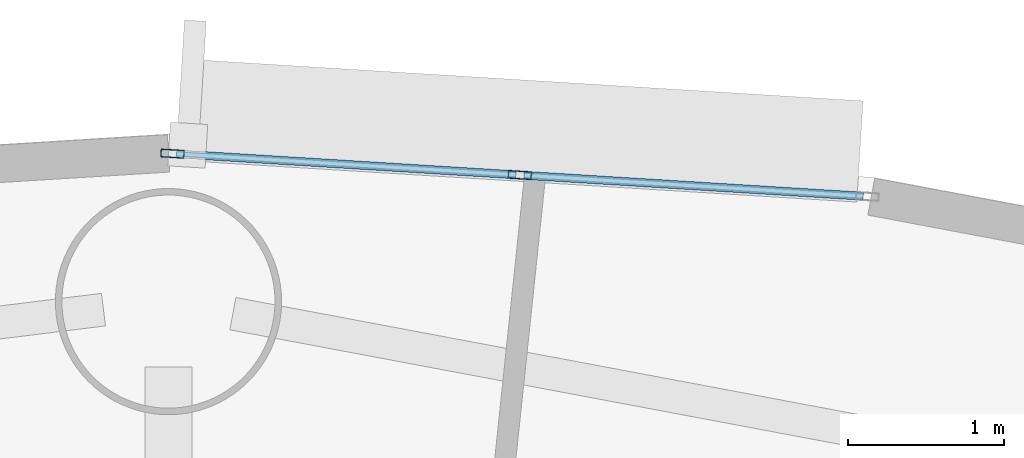
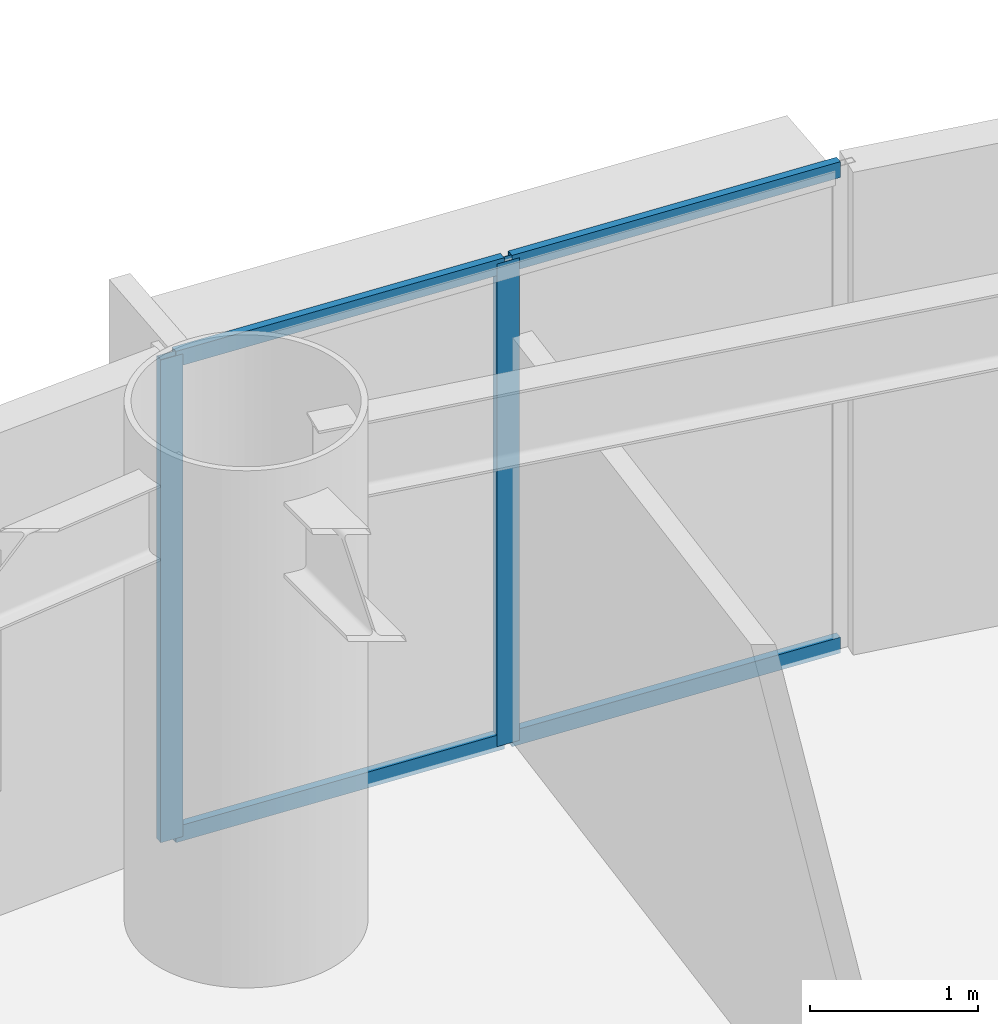
# One storey, part 4 of 18: 6 members, 1 element without a shape of its own.
"""IFC4 building model written with IfcOpenShell, lengths in metres."""

from ifc_helpers import new_model, si_unit, direction, frame, origin, origin_2d, place, context, subcontext, project, spatial, hollow_rectangle, extrude, source, transform, mapped, material, layer, layer_set, material_profile, profile_set, type_object, element, aggregate, save


model = new_model("IFC4")

# Units and contexts
model_context = context("Model", 3, precision=1e-05, world=origin(), true_north=direction((0.0, 1.0)))
body_context = subcontext(model_context, "Body", "Model", "MODEL_VIEW")
ifc_project = project(units=[si_unit("LENGTHUNIT", "METRE"), si_unit("AREAUNIT", "SQUARE_METRE"), si_unit("VOLUMEUNIT", "CUBIC_METRE"), si_unit("PLANEANGLEUNIT", "RADIAN"), si_unit("MASSUNIT", "GRAM", prefix="KILO")], contexts=[model_context])

# Site, building, storey
site_placement = place(None, origin())
site = spatial("IfcSite", under=ifc_project, at=site_placement, CompositionType="ELEMENT")
building_placement = place(site_placement, origin())
building = spatial("IfcBuilding", under=site, at=building_placement, Name="Linh Dai School and Residence Tower", CompositionType="ELEMENT")
storey_placement = place(building_placement, frame((0.0, 0.0, 123.449951171875)))
storey = spatial("IfcBuildingStorey", under=building, at=storey_placement, Name="L29", CompositionType="ELEMENT", Elevation=123.449951171875)

# Curtain wall, members
ifc_material_1 = material(Name="Aluminium Anodised Curtain Wall", Category="aluminium")
ifc_layer = layer(ifc_material_1, 0.14990234375)
ifc_layer_set = layer_set([ifc_layer], Name="Aluminium Anodised Curtain Wall")
curtain_wall_type = type_object("IfcCurtainWallType", Name="CW-SYS-4", PredefinedType="USERDEFINED", material=ifc_layer_set)
curtain_wall_placement = place(storey_placement, origin())
curtain_wall = element("IfcCurtainWall", 1, at=curtain_wall_placement, inside=storey, type_object=curtain_wall_type, Name="L29 CW4 Curtain Wall 10", ObjectType="RIBBON CURTAIN WALL", PredefinedType="USERDEFINED")
ifc_material_2 = material(Name="Aluminium Alloy 6063-T6", Category="aluminium")
ifc_material_profile_1 = material_profile(ifc_material_2, hollow_rectangle(XDim=0.052001953125, YDim=0.14990234375, WallThickness=0.00390625, at=origin_2d()), Name="RHS 150x52x4")
ifc_profile_set_1 = profile_set([ifc_material_profile_1], Name="Aluminium Alloy 6063-T6")
member_type_1 = type_object("IfcMemberType", Name="CW-SYS-4-MUL", PredefinedType="MULLION", material=ifc_profile_set_1)
shared_shape_1 = source(origin(), body_context, "Body", "SweptSolid", [
    extrude(hollow_rectangle(XDim=0.052001953125, YDim=0.14990234375, WallThickness=0.00390625, at=origin_2d()), origin(), (0.0, 0.0, 1.0), 3.5),
])
member_1_placement = place(storey_placement, frame((36.02587890625, 49.50341796875, 0.0), z_axis=(0.0, 0.0, 1.0), x_axis=(0.061509255091, 0.998106513123, 0.0)))
member_1 = element("IfcMember", 2, at=member_1_placement, type_object=member_type_1, Name="CW4 mullion 1", PredefinedType="MULLION", context=body_context, shape_type="MappedRepresentation", body=[
    mapped(shared_shape_1, transform((0.0, 0.0, 0.0), x_axis=(1.0, 0.0, 0.0), y_axis=(0.0, 1.0, 0.0), z_axis=(0.0, 0.0, 1.0), scale=1.0)),
])
member_2_placement = place(storey_placement, frame((38.252685546875, 49.3662109375, 0.0), z_axis=(0.0, 0.0, 1.0), x_axis=(0.061509255091, 0.998106513123, 0.0)))
member_2 = element("IfcMember", 3, at=member_2_placement, type_object=member_type_1, Name="CW4 mullion 2", PredefinedType="MULLION", context=body_context, shape_type="MappedRepresentation", body=[
    mapped(shared_shape_1, transform((0.0, 0.0, 0.0), x_axis=(1.0, 0.0, 0.0), y_axis=(0.0, 1.0, 0.0), z_axis=(0.0, 0.0, 1.0), scale=1.0)),
])
ifc_material_profile_2 = material_profile(ifc_material_2, hollow_rectangle(XDim=0.052001953125, YDim=0.114990234375, WallThickness=0.00390625, at=origin_2d()), Name="RHS 115x52x4")
ifc_profile_set_2 = profile_set([ifc_material_profile_2], Name="Aluminium Alloy 6063-T6")
member_type_2 = type_object("IfcMemberType", Name="CW-SYS-4-TRN", PredefinedType="USERDEFINED", material=ifc_profile_set_2)
shared_shape_2 = source(origin(), body_context, "Body", "SweptSolid", [
    extrude(hollow_rectangle(XDim=0.052001953125, YDim=0.114990234375, WallThickness=0.00390625, at=origin_2d()), origin(), (0.0, 0.0, 1.0), 2.178955078125),
])
member_3_placement = place(storey_placement, frame((36.052001953125, 49.501708984375, 0.026123046875), z_axis=(0.998106264791, -0.061513284617, 0.0), x_axis=(0.061513284617, 0.998106264791, 0.0)))
member_3 = element("IfcMember", 4, at=member_3_placement, type_object=member_type_2, Name="CW4 transom 1.1", ObjectType="TRANSOM", PredefinedType="USERDEFINED", context=body_context, shape_type="MappedRepresentation", body=[
    mapped(shared_shape_2, transform((0.0, 0.0, 0.0), x_axis=(1.0, 0.0, 0.0), y_axis=(0.0, 1.0, 0.0), z_axis=(0.0, 0.0, 1.0), scale=1.0)),
])
member_4_placement = place(storey_placement, frame((36.052001953125, 49.501708984375, 3.47412109375), z_axis=(0.998106264791, -0.061513284617, 0.0), x_axis=(0.061513284617, 0.998106264791, 0.0)))
member_4 = element("IfcMember", 5, at=member_4_placement, type_object=member_type_2, Name="CW4 transom 1.2", ObjectType="TRANSOM", PredefinedType="USERDEFINED", context=body_context, shape_type="MappedRepresentation", body=[
    mapped(shared_shape_2, transform((0.0, 0.0, 0.0), x_axis=(1.0, 0.0, 0.0), y_axis=(0.0, 1.0, 0.0), z_axis=(0.0, 0.0, 1.0), scale=1.0)),
])
member_5_placement = place(storey_placement, frame((38.27880859375, 49.364501953125, 0.026123046875), z_axis=(0.998106264791, -0.061513284617, 0.0), x_axis=(0.061513284617, 0.998106264791, 0.0)))
member_5 = element("IfcMember", 6, at=member_5_placement, type_object=member_type_2, Name="CW4 transom 2.1", ObjectType="TRANSOM", PredefinedType="USERDEFINED", context=body_context, shape_type="MappedRepresentation", body=[
    mapped(shared_shape_2, transform((0.0, 0.0, 0.0), x_axis=(1.0, 0.0, 0.0), y_axis=(0.0, 1.0, 0.0), z_axis=(0.0, 0.0, 1.0), scale=1.0)),
])
member_6_placement = place(storey_placement, frame((38.27880859375, 49.364501953125, 3.47412109375), z_axis=(0.998106264791, -0.061513284617, 0.0), x_axis=(0.061513284617, 0.998106264791, 0.0)))
member_6 = element("IfcMember", 7, at=member_6_placement, type_object=member_type_2, Name="CW4 transom 2.2", ObjectType="TRANSOM", PredefinedType="USERDEFINED", context=body_context, shape_type="MappedRepresentation", body=[
    mapped(shared_shape_2, transform((0.0, 0.0, 0.0), x_axis=(1.0, 0.0, 0.0), y_axis=(0.0, 1.0, 0.0), z_axis=(0.0, 0.0, 1.0), scale=1.0)),
])
aggregate(curtain_wall, [member_1, member_2, member_3, member_4, member_5, member_6])

save(model, "model.ifc")
